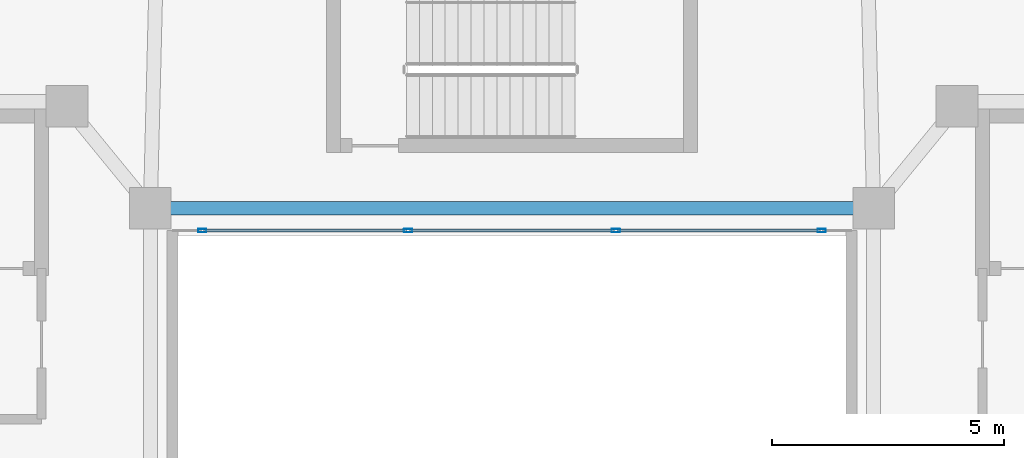
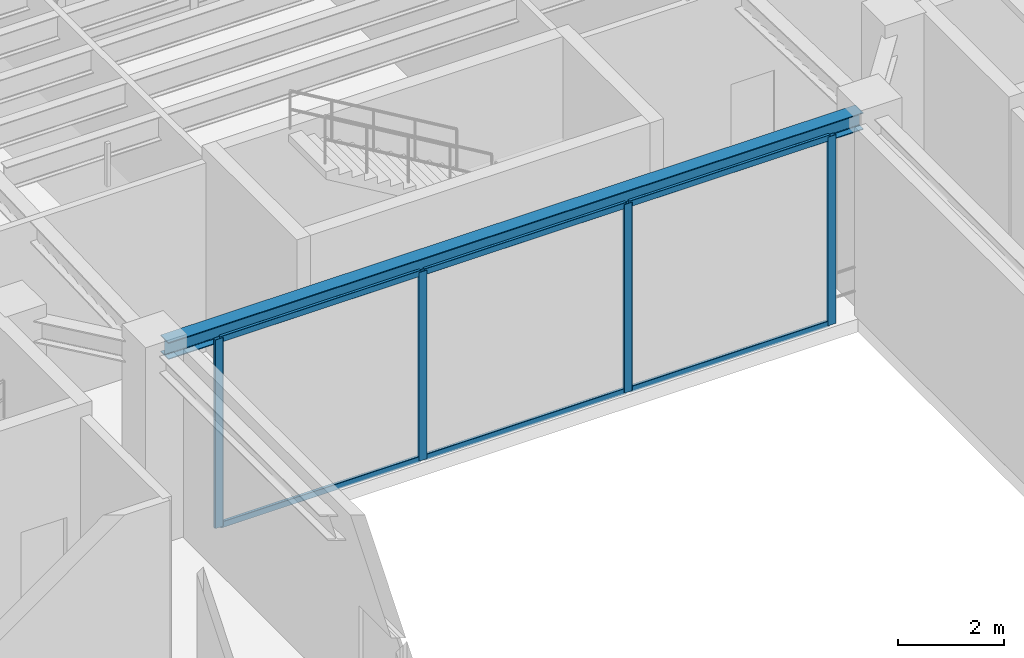
# One storey, part 12 of 34: 10 members, 1 beam, 1 element without a shape of its own.
"""IFC4 building model written with IfcOpenShell, lengths in metres."""

from ifc_helpers import new_model, si_unit, direction, frame, origin, origin_2d, place, context, subcontext, project, spatial, hollow_rectangle, i_section, extrude, material, layer, layer_set, material_profile, profile_set, type_object, element, aggregate, save


model = new_model("IFC4")

# Units and contexts
model_context = context("Model", 3, precision=1e-05, world=origin(), true_north=direction((0.0, 1.0)))
body_context = subcontext(model_context, "Body", "Model", "MODEL_VIEW")
ifc_project = project(units=[si_unit("LENGTHUNIT", "METRE"), si_unit("AREAUNIT", "SQUARE_METRE"), si_unit("VOLUMEUNIT", "CUBIC_METRE"), si_unit("PLANEANGLEUNIT", "RADIAN"), si_unit("MASSUNIT", "GRAM", prefix="KILO")], contexts=[model_context])

# Site, building, storey
site_placement = place(None, origin())
site = spatial("IfcSite", under=ifc_project, at=site_placement, CompositionType="ELEMENT")
building_placement = place(site_placement, origin())
building = spatial("IfcBuilding", under=site, at=building_placement, Name="Tarnavaz Court Tower", CompositionType="ELEMENT")
storey_placement = place(building_placement, frame((0.0, 0.0, 231.75)))
storey = spatial("IfcBuildingStorey", under=building, at=storey_placement, Name="L63", CompositionType="ELEMENT", Elevation=231.75)

# Beam
ifc_material_1 = material(Name="Steel S355", Category="steel")
ifc_material_profile_1 = material_profile(ifc_material_1, i_section(OverallWidth=0.300048828125, OverallDepth=0.389892578125, WebThickness=0.010986328125, FlangeThickness=0.01904296875, FilletRadius=0.027099609375, at=origin_2d()), Name="HEA 400")
ifc_profile_set_1 = profile_set([ifc_material_profile_1], Name="Steel S355")
beam_type = type_object("IfcBeamType", Name="BM-SP-HEA400", PredefinedType="BEAM", material=ifc_profile_set_1)
beam_placement = place(storey_placement, frame((-7.580078125, 7.800048828125, 4.155029296875), z_axis=(1.0, 0.0, 0.0), x_axis=(0.0, 1.0, 0.0)))
element("IfcBeam", 1, at=beam_placement, inside=storey, type_object=beam_type, Name="L63 Beam IN-IW-NW-IW-NE", PredefinedType="BEAM", context=body_context, shape_type="SweptSolid", body=[
    extrude(i_section(OverallWidth=0.300048828125, OverallDepth=0.389892578125, WebThickness=0.010986328125, FlangeThickness=0.01904296875, FilletRadius=0.027099609375, at=origin_2d()), origin(), (0.0, 0.0, 1.0), 15.16015625),
])

# Curtain wall, members
ifc_material_2 = material(Name="Anodised Aluminium 6063-T6 and Solar Low-E Glazing", Category="aluminium")
ifc_layer = layer(ifc_material_2, 0.139892578125)
ifc_layer_set = layer_set([ifc_layer], Name="Anodised Aluminium 6063-T6 and Solar Low-E Glazing")
curtain_wall_type = type_object("IfcCurtainWallType", Name="CW-SYS-04", PredefinedType="NOTDEFINED", material=ifc_layer_set)
curtain_wall_placement = place(storey_placement, origin())
curtain_wall = element("IfcCurtainWall", 2, at=curtain_wall_placement, inside=storey, type_object=curtain_wall_type, Name="L63 Badgir Courtyard Curtain Wall N", PredefinedType="NOTDEFINED")
ifc_material_3 = material(Name="Anodised Aluminium 6063-T6", Category="aluminium")
ifc_material_profile_2 = material_profile(ifc_material_3, hollow_rectangle(XDim=0.074951171875, YDim=0.179931640625, WallThickness=0.0048828125, InnerFilletRadius=0.0048828125, OuterFilletRadius=0.010009765625, at=origin_2d()), Name="ALU RHS 180X75X5")
ifc_profile_set_2 = profile_set([ifc_material_profile_2], Name="Anodised Aluminium 6063-T6")
member_type_1 = type_object("IfcMemberType", Name="CW-MUL-180", PredefinedType="MULLION", material=ifc_profile_set_2)
member_1_placement = place(storey_placement, frame((6.6826171875, 7.320068359375, 0.0), z_axis=(0.0, 0.0, 1.0), x_axis=(0.0, -1.0, 0.0)))
member_1 = element("IfcMember", 3, at=member_1_placement, type_object=member_type_1, Name="CW mullion 1", PredefinedType="MULLION", context=body_context, shape_type="SweptSolid", body=[
    extrude(hollow_rectangle(XDim=0.074951171875, YDim=0.179931640625, WallThickness=0.0048828125, InnerFilletRadius=0.0048828125, OuterFilletRadius=0.010009765625, at=origin_2d()), origin(), (0.0, 0.0, 1.0), 4.35009765625),
])
member_2_placement = place(storey_placement, frame((2.239990234375, 7.320068359375, 0.0), z_axis=(0.0, 0.0, 1.0), x_axis=(0.0, -1.0, 0.0)))
member_2 = element("IfcMember", 4, at=member_2_placement, type_object=member_type_1, Name="CW mullion 2", PredefinedType="MULLION", context=body_context, shape_type="SweptSolid", body=[
    extrude(hollow_rectangle(XDim=0.074951171875, YDim=0.179931640625, WallThickness=0.0048828125, InnerFilletRadius=0.0048828125, OuterFilletRadius=0.010009765625, at=origin_2d()), origin(), (0.0, 0.0, 1.0), 4.35009765625),
])
member_3_placement = place(storey_placement, frame((-2.239990234375, 7.320068359375, 0.0), z_axis=(0.0, 0.0, 1.0), x_axis=(0.0, -1.0, 0.0)))
member_3 = element("IfcMember", 5, at=member_3_placement, type_object=member_type_1, Name="CW mullion 3", PredefinedType="MULLION", context=body_context, shape_type="SweptSolid", body=[
    extrude(hollow_rectangle(XDim=0.074951171875, YDim=0.179931640625, WallThickness=0.0048828125, InnerFilletRadius=0.0048828125, OuterFilletRadius=0.010009765625, at=origin_2d()), origin(), (0.0, 0.0, 1.0), 4.35009765625),
])
member_4_placement = place(storey_placement, frame((-6.6826171875, 7.320068359375, 0.0), z_axis=(0.0, 0.0, 1.0), x_axis=(0.0, -1.0, 0.0)))
member_4 = element("IfcMember", 6, at=member_4_placement, type_object=member_type_1, Name="CW mullion 4", PredefinedType="MULLION", context=body_context, shape_type="SweptSolid", body=[
    extrude(hollow_rectangle(XDim=0.074951171875, YDim=0.179931640625, WallThickness=0.0048828125, InnerFilletRadius=0.0048828125, OuterFilletRadius=0.010009765625, at=origin_2d()), origin(), (0.0, 0.0, 1.0), 4.35009765625),
])
ifc_material_profile_3 = material_profile(ifc_material_3, hollow_rectangle(XDim=0.06494140625, YDim=0.139892578125, WallThickness=0.00390625, InnerFilletRadius=0.00390625, OuterFilletRadius=0.008056640625, at=origin_2d()), Name="ALU RHS 140X65X4")
ifc_profile_set_3 = profile_set([ifc_material_profile_3], Name="Anodised Aluminium 6063-T6")
member_type_2 = type_object("IfcMemberType", Name="CW-TRN-140", PredefinedType="USERDEFINED", material=ifc_profile_set_3)
member_5_placement = place(storey_placement, frame((6.64501953125, 7.320068359375, 0.032470703125), z_axis=(-1.0, 0.0, 0.0), x_axis=(0.0, -1.0, 0.0)))
member_5 = element("IfcMember", 7, at=member_5_placement, type_object=member_type_2, Name="CW transom 1.1", ObjectType="TRANSOM", PredefinedType="USERDEFINED", context=body_context, shape_type="SweptSolid", body=[
    extrude(hollow_rectangle(XDim=0.06494140625, YDim=0.139892578125, WallThickness=0.00390625, InnerFilletRadius=0.00390625, OuterFilletRadius=0.008056640625, at=origin_2d()), origin(), (0.0, 0.0, 1.0), 4.367431640625),
])
member_6_placement = place(storey_placement, frame((6.64501953125, 7.320068359375, 4.3173828125), z_axis=(-1.0, 0.0, 0.0), x_axis=(0.0, -1.0, 0.0)))
member_6 = element("IfcMember", 8, at=member_6_placement, type_object=member_type_2, Name="CW transom 1.2", ObjectType="TRANSOM", PredefinedType="USERDEFINED", context=body_context, shape_type="SweptSolid", body=[
    extrude(hollow_rectangle(XDim=0.06494140625, YDim=0.139892578125, WallThickness=0.00390625, InnerFilletRadius=0.00390625, OuterFilletRadius=0.008056640625, at=origin_2d()), origin(), (0.0, 0.0, 1.0), 4.367431640625),
])
member_7_placement = place(storey_placement, frame((2.202392578125, 7.320068359375, 0.032470703125), z_axis=(-1.0, 0.0, 0.0), x_axis=(0.0, -1.0, 0.0)))
member_7 = element("IfcMember", 9, at=member_7_placement, type_object=member_type_2, Name="CW transom 2.1", ObjectType="TRANSOM", PredefinedType="USERDEFINED", context=body_context, shape_type="SweptSolid", body=[
    extrude(hollow_rectangle(XDim=0.06494140625, YDim=0.139892578125, WallThickness=0.00390625, InnerFilletRadius=0.00390625, OuterFilletRadius=0.008056640625, at=origin_2d()), origin(), (0.0, 0.0, 1.0), 4.40478515625),
])
member_8_placement = place(storey_placement, frame((2.202392578125, 7.320068359375, 4.3173828125), z_axis=(-1.0, 0.0, 0.0), x_axis=(0.0, -1.0, 0.0)))
member_8 = element("IfcMember", 10, at=member_8_placement, type_object=member_type_2, Name="CW transom 2.2", ObjectType="TRANSOM", PredefinedType="USERDEFINED", context=body_context, shape_type="SweptSolid", body=[
    extrude(hollow_rectangle(XDim=0.06494140625, YDim=0.139892578125, WallThickness=0.00390625, InnerFilletRadius=0.00390625, OuterFilletRadius=0.008056640625, at=origin_2d()), origin(), (0.0, 0.0, 1.0), 4.40478515625),
])
member_9_placement = place(storey_placement, frame((-2.277587890625, 7.320068359375, 0.032470703125), z_axis=(-1.0, 0.0, 0.0), x_axis=(0.0, -1.0, 0.0)))
member_9 = element("IfcMember", 11, at=member_9_placement, type_object=member_type_2, Name="CW transom 3.1", ObjectType="TRANSOM", PredefinedType="USERDEFINED", context=body_context, shape_type="SweptSolid", body=[
    extrude(hollow_rectangle(XDim=0.06494140625, YDim=0.139892578125, WallThickness=0.00390625, InnerFilletRadius=0.00390625, OuterFilletRadius=0.008056640625, at=origin_2d()), origin(), (0.0, 0.0, 1.0), 4.367431640625),
])
member_10_placement = place(storey_placement, frame((-2.277587890625, 7.320068359375, 4.3173828125), z_axis=(-1.0, 0.0, 0.0), x_axis=(0.0, -1.0, 0.0)))
member_10 = element("IfcMember", 12, at=member_10_placement, type_object=member_type_2, Name="CW transom 3.2", ObjectType="TRANSOM", PredefinedType="USERDEFINED", context=body_context, shape_type="SweptSolid", body=[
    extrude(hollow_rectangle(XDim=0.06494140625, YDim=0.139892578125, WallThickness=0.00390625, InnerFilletRadius=0.00390625, OuterFilletRadius=0.008056640625, at=origin_2d()), origin(), (0.0, 0.0, 1.0), 4.367431640625),
])
aggregate(curtain_wall, [member_1, member_2, member_3, member_4, member_5, member_6, member_7, member_8, member_9, member_10])

save(model, "model.ifc")
